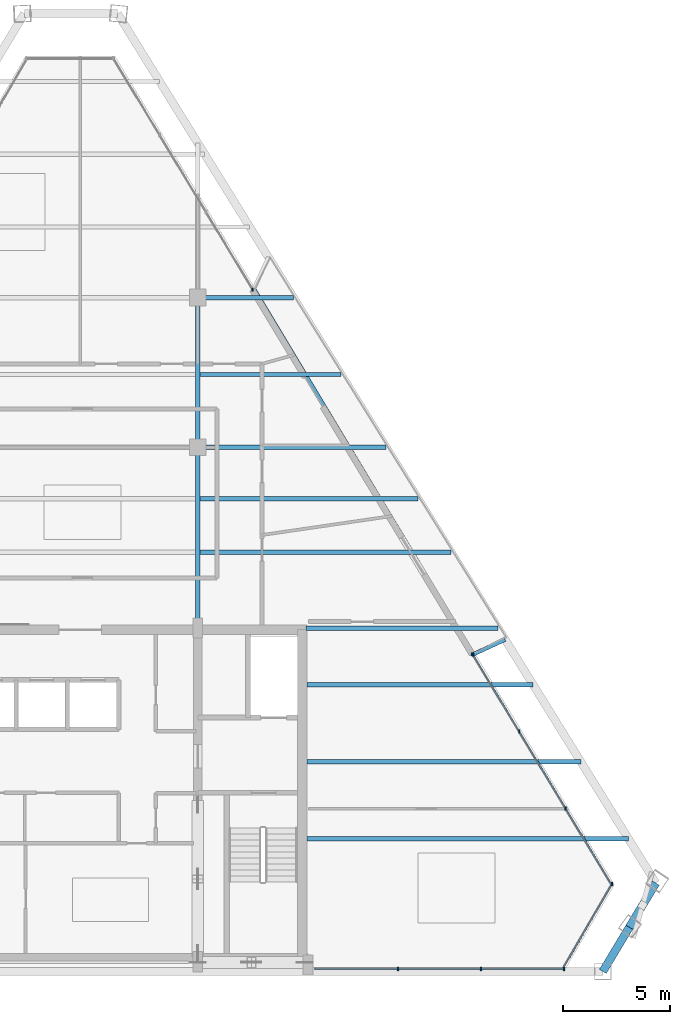
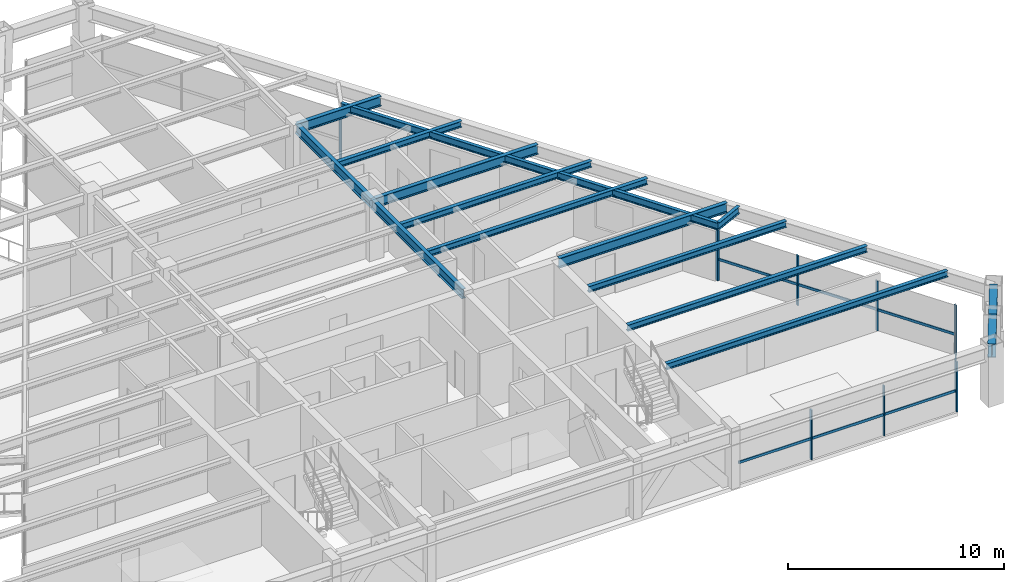
# One storey, part 5 of 13: 16 members, 15 beams, 4 elements without a shape of their own.
"""IFC4 building model written with IfcOpenShell, lengths in metres."""

from ifc_helpers import new_model, si_unit, direction, frame, origin, origin_2d, place, context, subcontext, project, spatial, rectangle, i_section, extrude, source, transform, mapped, material, material_profile, profile_set, type_object, type_shapes, element, aggregate, save


model = new_model("IFC4")

# Units and contexts
model_context = context("Model", 3, precision=1e-05, world=origin(), true_north=direction((0.0, 1.0)))
body_context = subcontext(model_context, "Body", "Model", "MODEL_VIEW")
ifc_project = project(units=[si_unit("LENGTHUNIT", "METRE"), si_unit("AREAUNIT", "SQUARE_METRE"), si_unit("VOLUMEUNIT", "CUBIC_METRE"), si_unit("PLANEANGLEUNIT", "RADIAN"), si_unit("MASSUNIT", "GRAM", prefix="KILO")], contexts=[model_context])

# Site, building, storey
site_placement = place(None, origin())
site = spatial("IfcSite", under=ifc_project, at=site_placement, CompositionType="ELEMENT")
building_placement = place(site_placement, origin())
building = spatial("IfcBuilding", under=site, at=building_placement, Name="Varnakhor Terracotta Tower", CompositionType="ELEMENT")
storey_placement = place(building_placement, frame((0.0, 0.0, 262.64990234375)))
storey = spatial("IfcBuildingStorey", under=building, at=storey_placement, Name="L68", CompositionType="ELEMENT", Elevation=262.64990234375)

# Beams
ifc_material_1 = material(Name="Steel S355", Category="steel")
ifc_material_profile_1 = material_profile(ifc_material_1, i_section(OverallWidth=0.214111328125, OverallDepth=0.549072265625, WebThickness=0.014892578125, FlangeThickness=0.02392578125, FilletRadius=0.01806640625, at=origin_2d()), Name="W21X93")
ifc_profile_set_1 = profile_set([ifc_material_profile_1], Name="Steel S355")
beam_type_1 = type_object("IfcBeamType", Name="BM-W21X93", PredefinedType="BEAM", material=ifc_profile_set_1)
shared_shape_1 = source(origin(), body_context, "Body", "SweptSolid", [
    extrude(i_section(OverallWidth=0.214111328125, OverallDepth=0.549072265625, WebThickness=0.014892578125, FlangeThickness=0.02392578125, FilletRadius=0.01806640625, at=origin_2d()), origin(), (0.0, 0.0, 1.0), 8.449951171875),
])
type_shapes(beam_type_1, [shared_shape_1])
beam_1_placement = place(storey_placement, frame((5.5, 16.050048828125, 2.965576171875), z_axis=(0.0, 1.0, 0.0), x_axis=(-1.0, 0.0, 0.0)))
element("IfcBeam", 1, at=beam_1_placement, inside=storey, type_object=beam_type_1, Name="L68 Primary Girder NS1-E", PredefinedType="BEAM", context=body_context, shape_type="MappedRepresentation", body=[
    mapped(shared_shape_1, transform((0.0, 0.0, 0.0), scale=1.0)),
])
shared_shape_2 = source(origin(), body_context, "Body", "SweptSolid", [
    extrude(i_section(OverallWidth=0.214111328125, OverallDepth=0.549072265625, WebThickness=0.014892578125, FlangeThickness=0.02392578125, FilletRadius=0.01806640625, at=origin_2d()), origin(), (0.0, 0.0, 1.0), 7.0),
])
beam_2_placement = place(storey_placement, frame((5.5, 24.5, 2.965576171875), z_axis=(0.0, 1.0, 0.0), x_axis=(-1.0, 0.0, 0.0)))
element("IfcBeam", 2, at=beam_2_placement, inside=storey, type_object=beam_type_1, Name="L68 Primary Girder NS2-E", PredefinedType="BEAM", context=body_context, shape_type="MappedRepresentation", body=[
    mapped(shared_shape_2, transform((0.0, 0.0, 0.0), scale=1.0)),
])
ifc_material_profile_2 = material_profile(ifc_material_1, i_section(OverallWidth=0.381103515625, OverallDepth=0.77294921875, WebThickness=0.01708984375, FlangeThickness=0.027099609375, FilletRadius=0.01806640625, at=origin_2d()), Name="W30X173")
ifc_profile_set_2 = profile_set([ifc_material_profile_2], Name="Steel S355")
beam_type_2 = type_object("IfcBeamType", Name="BM-W30X173", PredefinedType="BEAM", material=ifc_profile_set_2)
shared_shape_3 = source(origin(), body_context, "Body", "SweptSolid", [
    extrude(i_section(OverallWidth=0.381103515625, OverallDepth=0.77294921875, WebThickness=0.01708984375, FlangeThickness=0.027099609375, FilletRadius=0.01806640625, at=origin_2d()), origin(), (0.0, 0.0, 1.0), 2.40966796875),
])
beam_3_placement = place(storey_placement, frame((24.430419921875, 0.0, 2.853515625), z_axis=(0.514391453687, 0.85755549813, 0.0), x_axis=(-0.85755549813, 0.514391453687, 0.0)))
element("IfcBeam", 3, at=beam_3_placement, inside=storey, type_object=beam_type_2, Name="L68 Perimeter Spandrel 2", PredefinedType="BEAM", context=body_context, shape_type="MappedRepresentation", body=[
    mapped(shared_shape_3, transform((0.0, 0.0, 0.0), scale=1.0)),
])
shared_shape_4 = source(origin(), body_context, "Body", "SweptSolid", [
    extrude(i_section(OverallWidth=0.381103515625, OverallDepth=0.77294921875, WebThickness=0.01708984375, FlangeThickness=0.027099609375, FilletRadius=0.01806640625, at=origin_2d()), origin(), (0.0, 0.0, 1.0), 2.409423828125),
])
beam_4_placement = place(storey_placement, frame((25.669921875, 2.06640625, 2.853515625), z_axis=(0.514436150186, 0.85752868604, 0.0), x_axis=(-0.85752868604, 0.514436150186, 0.0)))
element("IfcBeam", 4, at=beam_4_placement, inside=storey, type_object=beam_type_2, Name="L68 Perimeter Spandrel 3", PredefinedType="BEAM", context=body_context, shape_type="MappedRepresentation", body=[
    mapped(shared_shape_4, transform((0.0, 0.0, 0.0), scale=1.0)),
])
ifc_material_profile_3 = material_profile(ifc_material_1, i_section(OverallWidth=0.179931640625, OverallDepth=0.39990234375, WebThickness=0.008544921875, FlangeThickness=0.013427734375, FilletRadius=0.01806640625, at=origin_2d()), Name="IPE400")
ifc_profile_set_3 = profile_set([ifc_material_profile_3], Name="Steel S355")
beam_type_3 = type_object("IfcBeamType", Name="JST-IPE400", PredefinedType="JOIST", material=ifc_profile_set_3)
shared_shape_5 = source(origin(), body_context, "Body", "SweptSolid", [
    extrude(i_section(OverallWidth=0.179931640625, OverallDepth=0.39990234375, WebThickness=0.008544921875, FlangeThickness=0.013427734375, FilletRadius=0.01806640625, at=origin_2d()), origin(), (0.0, 0.0, 1.0), 19.927978515625),
])
beam_5_placement = place(storey_placement, frame((18.37109375, 14.822021484375, 3.0400390625), z_axis=(-0.514648887365, 0.857401027953, 0.0), x_axis=(-0.857401027953, -0.514648887365, 0.0)))
element("IfcBeam", 5, at=beam_5_placement, inside=storey, type_object=beam_type_3, Name="L68 Loggia Edge Beam 1", PredefinedType="JOIST", context=body_context, shape_type="MappedRepresentation", body=[
    mapped(shared_shape_5, transform((0.0, 0.0, 0.0), scale=1.0)),
])
shared_shape_6 = source(origin(), body_context, "Body", "SweptSolid", [
    extrude(i_section(OverallWidth=0.214111328125, OverallDepth=0.549072265625, WebThickness=0.014892578125, FlangeThickness=0.02392578125, FilletRadius=0.01806640625, at=origin_2d()), origin(), (0.0, 0.0, 1.0), 8.98193359375),
])
beam_6_placement = place(storey_placement, frame((10.550048828125, 16.050048828125, 2.965576171875), z_axis=(1.0, 0.0, 0.0), x_axis=(0.0, 1.0, 0.0)))
element("IfcBeam", 6, at=beam_6_placement, inside=storey, type_object=beam_type_1, Name="L68 Wing Girder E", PredefinedType="BEAM", context=body_context, shape_type="MappedRepresentation", body=[
    mapped(shared_shape_6, transform((0.0, 0.0, 0.0), scale=1.0)),
])
shared_shape_7 = source(origin(), body_context, "Body", "SweptSolid", [
    extrude(i_section(OverallWidth=0.214111328125, OverallDepth=0.549072265625, WebThickness=0.014892578125, FlangeThickness=0.02392578125, FilletRadius=0.01806640625, at=origin_2d()), origin(), (0.0, 0.0, 1.0), 8.801025390625),
])
beam_7_placement = place(storey_placement, frame((5.5, 24.5, 2.965576171875), z_axis=(1.0, 0.0, 0.0), x_axis=(0.0, 1.0, 0.0)))
element("IfcBeam", 7, at=beam_7_placement, inside=storey, type_object=beam_type_1, Name="L68 Primary Girder EW2-3", PredefinedType="BEAM", context=body_context, shape_type="MappedRepresentation", body=[
    mapped(shared_shape_7, transform((0.0, 0.0, 0.0), scale=1.0)),
])
shared_shape_8 = source(origin(), body_context, "Body", "SweptSolid", [
    extrude(i_section(OverallWidth=0.214111328125, OverallDepth=0.549072265625, WebThickness=0.014892578125, FlangeThickness=0.02392578125, FilletRadius=0.01806640625, at=origin_2d()), origin(), (0.0, 0.0, 1.0), 4.467529296875),
])
beam_8_placement = place(storey_placement, frame((5.5, 31.5, 2.965576171875), z_axis=(1.0, 0.0, 0.0), x_axis=(0.0, 1.0, 0.0)))
element("IfcBeam", 8, at=beam_8_placement, inside=storey, type_object=beam_type_1, Name="L68 Primary Girder EW3-3", PredefinedType="BEAM", context=body_context, shape_type="MappedRepresentation", body=[
    mapped(shared_shape_8, transform((0.0, 0.0, 0.0), scale=1.0)),
])
ifc_material_profile_4 = material_profile(ifc_material_1, i_section(OverallWidth=0.202880859375, OverallDepth=0.346923828125, WebThickness=0.0078125, FlangeThickness=0.013427734375, FilletRadius=0.01806640625, at=origin_2d()), Name="W14X43")
ifc_profile_set_4 = profile_set([ifc_material_profile_4], Name="Steel S355")
beam_type_4 = type_object("IfcBeamType", Name="JST-W14X43", PredefinedType="JOIST", material=ifc_profile_set_4)
shared_shape_9 = source(origin(), body_context, "Body", "SweptSolid", [
    extrude(i_section(OverallWidth=0.202880859375, OverallDepth=0.346923828125, WebThickness=0.0078125, FlangeThickness=0.013427734375, FilletRadius=0.01806640625, at=origin_2d()), origin(), (0.0, 0.0, 1.0), 15.029541015625),
])
beam_9_placement = place(storey_placement, frame((10.60009765625, 6.199951171875, 3.066650390625), z_axis=(1.0, 0.0, 0.0), x_axis=(0.0, 1.0, 0.0)))
element("IfcBeam", 9, at=beam_9_placement, inside=storey, type_object=beam_type_4, Name="L68 Floor Joist E1", PredefinedType="JOIST", context=body_context, shape_type="MappedRepresentation", body=[
    mapped(shared_shape_9, transform((0.0, 0.0, 0.0), scale=1.0)),
])
shared_shape_10 = source(origin(), body_context, "Body", "SweptSolid", [
    extrude(i_section(OverallWidth=0.202880859375, OverallDepth=0.346923828125, WebThickness=0.0078125, FlangeThickness=0.013427734375, FilletRadius=0.01806640625, at=origin_2d()), origin(), (0.0, 0.0, 1.0), 12.801025390625),
])
beam_10_placement = place(storey_placement, frame((10.60009765625, 9.800048828125, 3.066650390625), z_axis=(1.0, 0.0, 0.0), x_axis=(0.0, 1.0, 0.0)))
element("IfcBeam", 10, at=beam_10_placement, inside=storey, type_object=beam_type_4, Name="L68 Floor Joist E2", PredefinedType="JOIST", context=body_context, shape_type="MappedRepresentation", body=[
    mapped(shared_shape_10, transform((0.0, 0.0, 0.0), scale=1.0)),
])
shared_shape_11 = source(origin(), body_context, "Body", "SweptSolid", [
    extrude(i_section(OverallWidth=0.202880859375, OverallDepth=0.346923828125, WebThickness=0.0078125, FlangeThickness=0.013427734375, FilletRadius=0.01806640625, at=origin_2d()), origin(), (0.0, 0.0, 1.0), 10.572509765625),
])
beam_11_placement = place(storey_placement, frame((10.60009765625, 13.39990234375, 3.066650390625), z_axis=(1.0, 0.0, 0.0), x_axis=(0.0, 1.0, 0.0)))
element("IfcBeam", 11, at=beam_11_placement, inside=storey, type_object=beam_type_4, Name="L68 Floor Joist E3", PredefinedType="JOIST", context=body_context, shape_type="MappedRepresentation", body=[
    mapped(shared_shape_11, transform((0.0, 0.0, 0.0), scale=1.0)),
])
shared_shape_12 = source(origin(), body_context, "Body", "SweptSolid", [
    extrude(i_section(OverallWidth=0.202880859375, OverallDepth=0.346923828125, WebThickness=0.0078125, FlangeThickness=0.013427734375, FilletRadius=0.01806640625, at=origin_2d()), origin(), (0.0, 0.0, 1.0), 11.7314453125),
])
beam_12_placement = place(storey_placement, frame((5.60302734375, 19.60009765625, 3.066650390625), z_axis=(1.0, 0.0, 0.0), x_axis=(0.0, 1.0, 0.0)))
element("IfcBeam", 12, at=beam_12_placement, inside=storey, type_object=beam_type_4, Name="L68 Composite Floor Joist 4-3", PredefinedType="JOIST", context=body_context, shape_type="MappedRepresentation", body=[
    mapped(shared_shape_12, transform((0.0, 0.0, 0.0), scale=1.0)),
])
shared_shape_13 = source(origin(), body_context, "Body", "SweptSolid", [
    extrude(i_section(OverallWidth=0.202880859375, OverallDepth=0.346923828125, WebThickness=0.0078125, FlangeThickness=0.013427734375, FilletRadius=0.01806640625, at=origin_2d()), origin(), (0.0, 0.0, 1.0), 10.18359375),
])
beam_13_placement = place(storey_placement, frame((5.60302734375, 22.10009765625, 3.066650390625), z_axis=(1.0, 0.0, 0.0), x_axis=(0.0, 1.0, 0.0)))
element("IfcBeam", 13, at=beam_13_placement, inside=storey, type_object=beam_type_4, Name="L68 Composite Floor Joist 5-3", PredefinedType="JOIST", context=body_context, shape_type="MappedRepresentation", body=[
    mapped(shared_shape_13, transform((0.0, 0.0, 0.0), scale=1.0)),
])
shared_shape_14 = source(origin(), body_context, "Body", "SweptSolid", [
    extrude(i_section(OverallWidth=0.202880859375, OverallDepth=0.346923828125, WebThickness=0.0078125, FlangeThickness=0.013427734375, FilletRadius=0.01806640625, at=origin_2d()), origin(), (0.0, 0.0, 1.0), 6.59326171875),
])
beam_14_placement = place(storey_placement, frame((5.60302734375, 27.89990234375, 3.066650390625), z_axis=(1.0, 0.0, 0.0), x_axis=(0.0, 1.0, 0.0)))
element("IfcBeam", 14, at=beam_14_placement, inside=storey, type_object=beam_type_4, Name="L68 Composite Floor Joist 6-3", PredefinedType="JOIST", context=body_context, shape_type="MappedRepresentation", body=[
    mapped(shared_shape_14, transform((0.0, 0.0, 0.0), scale=1.0)),
])

# Curtain wall, members
ifc_material_2 = material(Name="Anodised Aluminium Curtain Wall System", Category="aluminium")
curtain_wall_type = type_object("IfcCurtainWallType", Name="CW-SYS-HOTEL-LOGGIA", PredefinedType="NOTDEFINED", material=ifc_material_2)
curtain_wall_1_placement = place(storey_placement, origin())
curtain_wall_1 = element("IfcCurtainWall", 15, at=curtain_wall_1_placement, inside=storey, type_object=curtain_wall_type, Name="L68 E Facet Curtain Wall 2", PredefinedType="NOTDEFINED")
ifc_material_3 = material(Name="Anodised Aluminium 6063-T6", Category="aluminium")
ifc_material_profile_5 = material_profile(ifc_material_3, rectangle(XDim=0.06494140625, YDim=0.159912109375, at=origin_2d()), Name="ALU MULLION 65x160")
ifc_profile_set_5 = profile_set([ifc_material_profile_5], Name="Anodised Aluminium 6063-T6")
member_type_1 = type_object("IfcMemberType", Name="CWM-04", PredefinedType="MULLION", material=ifc_profile_set_5)
shared_shape_15 = source(origin(), body_context, "Body", "SweptSolid", [
    extrude(rectangle(XDim=0.06494140625, YDim=0.159912109375, at=origin_2d()), origin(), (0.0, 0.0, 1.0), 2.820068359375),
])
type_shapes(member_type_1, [shared_shape_15])
member_1_placement = place(storey_placement, frame((18.353271484375, 14.809814453125, 0.0), z_axis=(0.0, 0.0, 1.0), x_axis=(1.0, 0.0, 0.0)))
member_1 = element("IfcMember", 16, at=member_1_placement, type_object=member_type_1, Name="L68 E Facet Curtain Wall 2 Mullion 1", PredefinedType="MULLION", context=body_context, shape_type="MappedRepresentation", body=[
    mapped(shared_shape_15, transform((0.0, 0.0, 0.0), scale=1.0)),
])
member_2_placement = place(storey_placement, frame((20.521484375, 11.21240234375, 0.0), z_axis=(0.0, 0.0, 1.0), x_axis=(1.0, 0.0, 0.0)))
member_2 = element("IfcMember", 17, at=member_2_placement, type_object=member_type_1, Name="L68 E Facet Curtain Wall 2 Mullion 2", PredefinedType="MULLION", context=body_context, shape_type="MappedRepresentation", body=[
    mapped(shared_shape_15, transform((0.0, 0.0, 0.0), scale=1.0)),
])
member_3_placement = place(storey_placement, frame((22.689697265625, 7.614990234375, 0.0), z_axis=(0.0, 0.0, 1.0), x_axis=(1.0, 0.0, 0.0)))
member_3 = element("IfcMember", 18, at=member_3_placement, type_object=member_type_1, Name="L68 E Facet Curtain Wall 2 Mullion 3", PredefinedType="MULLION", context=body_context, shape_type="MappedRepresentation", body=[
    mapped(shared_shape_15, transform((0.0, 0.0, 0.0), scale=1.0)),
])

# Curtain wall, member
curtain_wall_2_placement = place(storey_placement, origin())
curtain_wall_2 = element("IfcCurtainWall", 19, at=curtain_wall_2_placement, inside=storey, type_object=curtain_wall_type, Name="L68 E Facet Curtain Wall 1", PredefinedType="NOTDEFINED")
member_4_placement = place(storey_placement, frame((8.050537109375, 31.865234375, 0.0), z_axis=(0.0, 0.0, 1.0), x_axis=(1.0, 0.0, 0.0)))
member_4 = element("IfcMember", 20, at=member_4_placement, type_object=member_type_1, Name="L68 E Loggia Jamb Closure Mullion 1", PredefinedType="MULLION", context=body_context, shape_type="MappedRepresentation", body=[
    mapped(shared_shape_15, transform((0.0, 0.0, 0.0), scale=1.0)),
])
aggregate(curtain_wall_2, [member_4])

# Member
member_5_placement = place(storey_placement, frame((18.32080078125, 14.8251953125, 0.0), z_axis=(0.0, 0.0, 1.0), x_axis=(1.0, 0.0, 0.0)))
member_5 = element("IfcMember", 21, at=member_5_placement, type_object=member_type_1, Name="L68 E Loggia Jamb Closure Mullion 2", PredefinedType="MULLION", context=body_context, shape_type="MappedRepresentation", body=[
    mapped(shared_shape_15, transform((0.0, 0.0, 0.0), scale=1.0)),
])

# Curtain wall, member
curtain_wall_3_placement = place(storey_placement, origin())
curtain_wall_3 = element("IfcCurtainWall", 22, at=curtain_wall_3_placement, inside=storey, type_object=curtain_wall_type, Name="L68 Facet Curtain Wall 4", PredefinedType="NOTDEFINED")
member_6_placement = place(storey_placement, frame((24.857421875, 4.08837890625, 0.0), z_axis=(0.0, 0.0, 1.0), x_axis=(1.0, 0.0, 0.0)))
member_6 = element("IfcMember", 23, at=member_6_placement, type_object=member_type_1, Name="L68 Facet Curtain Wall 4 Mullion 1", PredefinedType="MULLION", context=body_context, shape_type="MappedRepresentation", body=[
    mapped(shared_shape_15, transform((0.0, 0.0, 0.0), scale=1.0)),
])

# Curtain wall, members
curtain_wall_4_placement = place(storey_placement, origin())
curtain_wall_4 = element("IfcCurtainWall", 24, at=curtain_wall_4_placement, inside=storey, type_object=curtain_wall_type, Name="L68 South Wing Curtain Wall SSE", PredefinedType="NOTDEFINED")
member_7_placement = place(storey_placement, frame((22.610107421875, 0.1201171875, 0.0), z_axis=(0.0, 0.0, 1.0), x_axis=(1.0, 0.0, 0.0)))
member_7 = element("IfcMember", 25, at=member_7_placement, type_object=member_type_1, Name="L68 South Wing Curtain Wall SSE Mullion 1", PredefinedType="MULLION", context=body_context, shape_type="MappedRepresentation", body=[
    mapped(shared_shape_15, transform((0.0, 0.0, 0.0), scale=1.0)),
])
member_8_placement = place(storey_placement, frame((18.72998046875, 0.1201171875, 0.0), z_axis=(0.0, 0.0, 1.0), x_axis=(1.0, 0.0, 0.0)))
member_8 = element("IfcMember", 26, at=member_8_placement, type_object=member_type_1, Name="L68 South Wing Curtain Wall SSE Mullion 2", PredefinedType="MULLION", context=body_context, shape_type="MappedRepresentation", body=[
    mapped(shared_shape_15, transform((0.0, 0.0, 0.0), scale=1.0)),
])
member_9_placement = place(storey_placement, frame((14.85009765625, 0.1201171875, 0.0), z_axis=(0.0, 0.0, 1.0), x_axis=(1.0, 0.0, 0.0)))
member_9 = element("IfcMember", 27, at=member_9_placement, type_object=member_type_1, Name="L68 South Wing Curtain Wall SSE Mullion 3", PredefinedType="MULLION", context=body_context, shape_type="MappedRepresentation", body=[
    mapped(shared_shape_15, transform((0.0, 0.0, 0.0), scale=1.0)),
])

# Member
ifc_material_profile_6 = material_profile(ifc_material_3, rectangle(XDim=0.06494140625, YDim=0.14501953125, at=origin_2d()), Name="ALU TRANSOM 65x145")
ifc_profile_set_6 = profile_set([ifc_material_profile_6], Name="Anodised Aluminium 6063-T6")
member_type_2 = type_object("IfcMemberType", Name="CWT-04", PredefinedType="USERDEFINED", material=ifc_profile_set_6)
shared_shape_16 = source(origin(), body_context, "Body", "SweptSolid", [
    extrude(rectangle(XDim=0.06494140625, YDim=0.14501953125, at=origin_2d()), origin(), (0.0, 0.0, 1.0), 4.2001953125),
])
member_10_placement = place(storey_placement, frame((18.353271484375, 14.809814453125, 1.1845703125), z_axis=(0.516204279039, -0.856465493935, 0.0), x_axis=(0.856465493935, 0.516204279039, 0.0)))
member_10 = element("IfcMember", 28, at=member_10_placement, type_object=member_type_2, Name="L68 E Facet Curtain Wall 2 Transom 1", ObjectType="TRANSOM", PredefinedType="USERDEFINED", context=body_context, shape_type="MappedRepresentation", body=[
    mapped(shared_shape_16, transform((0.0, 0.0, 0.0), scale=1.0)),
])

member_11_placement = place(storey_placement, frame((20.521484375, 11.21240234375, 1.1845703125), z_axis=(0.516204279039, -0.856465493935, 0.0), x_axis=(0.856465493935, 0.516204279039, 0.0)))
member_11 = element("IfcMember", 29, at=member_11_placement, type_object=member_type_2, Name="L68 E Facet Curtain Wall 2 Transom 2", ObjectType="TRANSOM", PredefinedType="USERDEFINED", context=body_context, shape_type="MappedRepresentation", body=[
    mapped(shared_shape_16, transform((0.0, 0.0, 0.0), scale=1.0)),
])

member_12_placement = place(storey_placement, frame((22.689697265625, 7.614990234375, 1.1845703125), z_axis=(0.516204279039, -0.856465493935, 0.0), x_axis=(0.856465493935, 0.516204279039, 0.0)))
member_12 = element("IfcMember", 30, at=member_12_placement, type_object=member_type_2, Name="L68 E Facet Curtain Wall 2 Transom 3", ObjectType="TRANSOM", PredefinedType="USERDEFINED", context=body_context, shape_type="MappedRepresentation", body=[
    mapped(shared_shape_16, transform((0.0, 0.0, 0.0), scale=1.0)),
])

aggregate(curtain_wall_1, [member_1, member_10, member_2, member_11, member_3, member_12, member_5])

shared_shape_17 = source(origin(), body_context, "Body", "SweptSolid", [
    extrude(rectangle(XDim=0.06494140625, YDim=0.14501953125, at=origin_2d()), origin(), (0.0, 0.0, 1.0), 4.62890625),
])
member_13_placement = place(storey_placement, frame((24.857421875, 4.08837890625, 1.1845703125), z_axis=(-0.502470112498, -0.864594579006, 0.0), x_axis=(0.864594579006, -0.502470112498, 0.0)))
member_13 = element("IfcMember", 31, at=member_13_placement, type_object=member_type_2, Name="L68 Facet Curtain Wall 4 Transom 1", ObjectType="TRANSOM", PredefinedType="USERDEFINED", context=body_context, shape_type="MappedRepresentation", body=[
    mapped(shared_shape_17, transform((0.0, 0.0, 0.0), scale=1.0)),
])

aggregate(curtain_wall_3, [member_6, member_13])

shared_shape_18 = source(origin(), body_context, "Body", "SweptSolid", [
    extrude(rectangle(XDim=0.06494140625, YDim=0.14501953125, at=origin_2d()), origin(), (0.0, 0.0, 1.0), 3.880126953125),
])
member_14_placement = place(storey_placement, frame((22.610107421875, 0.1201171875, 1.1845703125), z_axis=(-1.0, 0.0, 0.0), x_axis=(0.0, -1.0, 0.0)))
member_14 = element("IfcMember", 32, at=member_14_placement, type_object=member_type_2, Name="L68 South Wing Curtain Wall SSE Transom 1", ObjectType="TRANSOM", PredefinedType="USERDEFINED", context=body_context, shape_type="MappedRepresentation", body=[
    mapped(shared_shape_18, transform((0.0, 0.0, 0.0), scale=1.0)),
])

member_15_placement = place(storey_placement, frame((14.85009765625, 0.1201171875, 1.1845703125), z_axis=(-1.0, 0.0, 0.0), x_axis=(0.0, -1.0, 0.0)))
member_15 = element("IfcMember", 33, at=member_15_placement, type_object=member_type_2, Name="L68 South Wing Curtain Wall SSE Transom 3", ObjectType="TRANSOM", PredefinedType="USERDEFINED", context=body_context, shape_type="MappedRepresentation", body=[
    mapped(shared_shape_18, transform((0.0, 0.0, 0.0), scale=1.0)),
])

shared_shape_19 = source(origin(), body_context, "Body", "SweptSolid", [
    extrude(rectangle(XDim=0.06494140625, YDim=0.14501953125, at=origin_2d()), origin(), (0.0, 0.0, 1.0), 3.8798828125),
])
member_16_placement = place(storey_placement, frame((18.72998046875, 0.1201171875, 1.1845703125), z_axis=(-1.0, 0.0, 0.0), x_axis=(0.0, -1.0, 0.0)))
member_16 = element("IfcMember", 34, at=member_16_placement, type_object=member_type_2, Name="L68 South Wing Curtain Wall SSE Transom 2", ObjectType="TRANSOM", PredefinedType="USERDEFINED", context=body_context, shape_type="MappedRepresentation", body=[
    mapped(shared_shape_19, transform((0.0, 0.0, 0.0), scale=1.0)),
])

aggregate(curtain_wall_4, [member_7, member_14, member_8, member_16, member_9, member_15])

# Beam
shared_shape_20 = source(origin(), body_context, "Body", "SweptSolid", [
    extrude(i_section(OverallWidth=0.179931640625, OverallDepth=0.39990234375, WebThickness=0.008544921875, FlangeThickness=0.013427734375, FilletRadius=0.01806640625, at=origin_2d()), origin(), (0.0, 0.0, 1.0), 1.645751953125),
])
beam_15_placement = place(storey_placement, frame((18.37109375, 14.822021484375, 3.0400390625), z_axis=(0.907937672673, 0.419105216552, 0.0), x_axis=(-0.419105216552, 0.907937672673, 0.0)))
element("IfcBeam", 35, at=beam_15_placement, inside=storey, type_object=beam_type_3, Name="L69 E Loggia Tie Beam 2", PredefinedType="JOIST", context=body_context, shape_type="MappedRepresentation", body=[
    mapped(shared_shape_20, transform((0.0, 0.0, 0.0), scale=1.0)),
])

save(model, "model.ifc")
